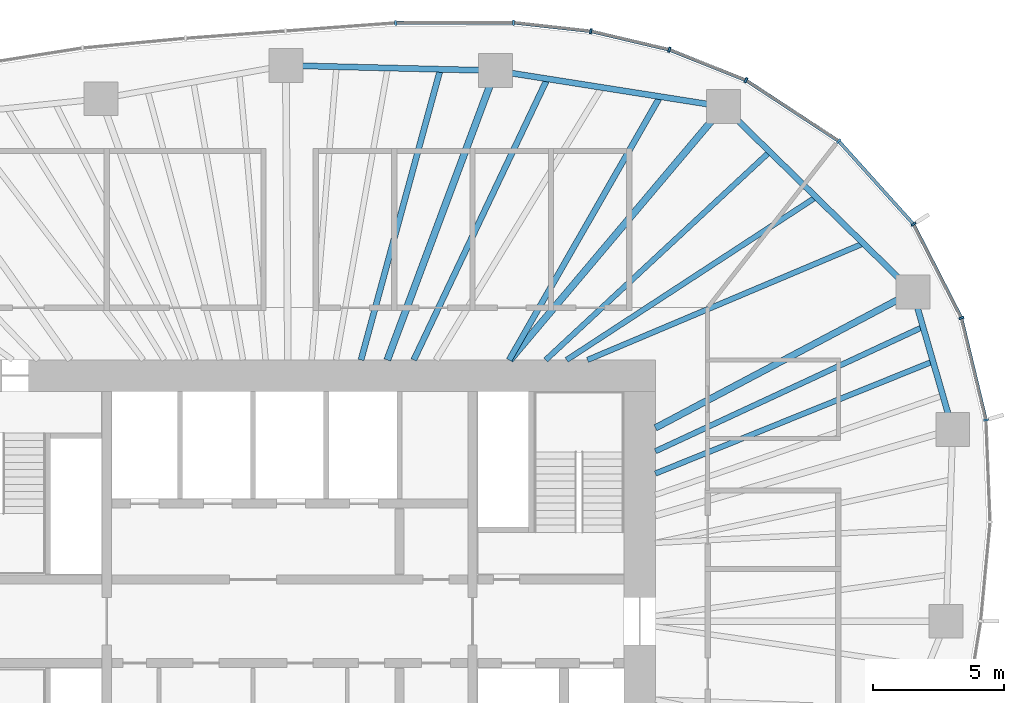
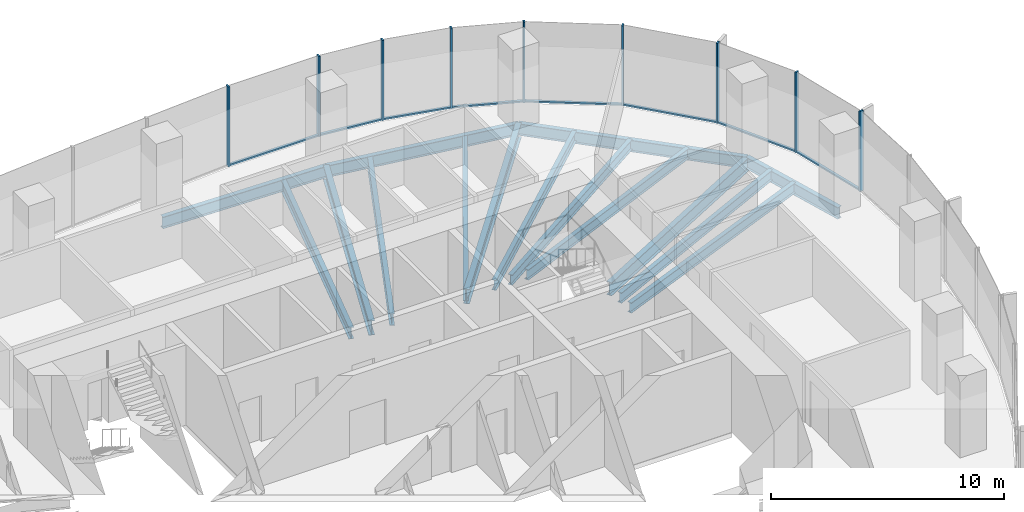
# One storey, part 6 of 11: 17 members, 15 beams, 4 elements without a shape of their own.
"""IFC4 building model written with IfcOpenShell, lengths in metres."""

from ifc_helpers import new_model, si_unit, direction, frame, origin, origin_2d, place, context, subcontext, project, spatial, rectangle, i_section, extrude, material, material_profile, profile_set, type_object, element, aggregate, save


model = new_model("IFC4")

# Units and contexts
model_context = context("Model", 3, precision=1e-05, world=origin(), true_north=direction((0.0, 1.0)))
body_context = subcontext(model_context, "Body", "Model", "MODEL_VIEW")
ifc_project = project(units=[si_unit("LENGTHUNIT", "METRE"), si_unit("AREAUNIT", "SQUARE_METRE"), si_unit("VOLUMEUNIT", "CUBIC_METRE"), si_unit("PLANEANGLEUNIT", "RADIAN"), si_unit("MASSUNIT", "GRAM", prefix="KILO")], contexts=[model_context])

# Site, building, storey
site_placement = place(None, origin())
site = spatial("IfcSite", under=ifc_project, at=site_placement, CompositionType="ELEMENT")
building_placement = place(site_placement, origin())
building = spatial("IfcBuilding", under=site, at=building_placement, Name="Ghaith Harvest Tower", CompositionType="ELEMENT")
storey_placement = place(building_placement, frame((0.0, 0.0, 220.0)))
storey = spatial("IfcBuildingStorey", under=building, at=storey_placement, Name="L48", CompositionType="ELEMENT", Elevation=220.0)

# Curtain wall, members
ifc_material_1 = material(Name="Black anodised aluminium and fritted glass", Category="aluminium")
curtain_wall_type = type_object("IfcCurtainWallType", Name="CW-H CURTAIN WALL", PredefinedType="NOTDEFINED", material=ifc_material_1)
curtain_wall_1_placement = place(storey_placement, origin())
curtain_wall_1 = element("IfcCurtainWall", 1, at=curtain_wall_1_placement, inside=storey, type_object=curtain_wall_type, Name="Curtain wall CW-H bay 02 L48", PredefinedType="NOTDEFINED")
ifc_material_2 = material(Name="Aluminium, black anodised", Category="aluminium")
ifc_material_profile_1 = material_profile(ifc_material_2, rectangle(XDim=0.080078125, YDim=0.199951171875, at=origin_2d()), Name="CW-H MULLION 80x200")
ifc_profile_set_1 = profile_set([ifc_material_profile_1], Name="Aluminium, black anodised")
member_type_1 = type_object("IfcMemberType", Name="CW-H MULLION 80x200", PredefinedType="MULLION", material=ifc_profile_set_1)
member_1_placement = place(storey_placement, frame((26.646484375, 7.701416015625, 0.0), z_axis=(0.0, 0.0, 1.0), x_axis=(-0.139146256981, 0.990271841046, 0.0)))
member_1 = element("IfcMember", 2, at=member_1_placement, type_object=member_type_1, Name="CW-H mullion 1 bay 02 L48", PredefinedType="MULLION", context=body_context, shape_type="SweptSolid", body=[
    extrude(rectangle(XDim=0.080078125, YDim=0.199951171875, at=origin_2d()), origin(), (0.0, 0.0, 1.0), 4.199951171875),
])
member_2_placement = place(storey_placement, frame((25.707275390625, 11.60546875, 0.0), z_axis=(0.0, 0.0, 1.0), x_axis=(-0.347012123561, 0.93786064322, 0.0)))
member_2 = element("IfcMember", 3, at=member_2_placement, type_object=member_type_1, Name="CW-H mullion 2 bay 02 L48", PredefinedType="MULLION", context=body_context, shape_type="SweptSolid", body=[
    extrude(rectangle(XDim=0.080078125, YDim=0.199951171875, at=origin_2d()), origin(), (0.0, 0.0, 1.0), 4.199951171875),
])

curtain_wall_2_placement = place(storey_placement, origin())
curtain_wall_2 = element("IfcCurtainWall", 4, at=curtain_wall_2_placement, inside=storey, type_object=curtain_wall_type, Name="Curtain wall CW-H bay 03 L48", PredefinedType="NOTDEFINED")
member_3_placement = place(storey_placement, frame((23.874267578125, 15.19384765625, 0.0), z_axis=(0.0, 0.0, 1.0), x_axis=(-0.569847382909, 0.821750546207, 0.0)))
member_3 = element("IfcMember", 5, at=member_3_placement, type_object=member_type_1, Name="CW-H mullion 1 bay 03 L48", PredefinedType="MULLION", context=body_context, shape_type="SweptSolid", body=[
    extrude(rectangle(XDim=0.080078125, YDim=0.199951171875, at=origin_2d()), origin(), (0.0, 0.0, 1.0), 4.199951171875),
])
member_4_placement = place(storey_placement, frame((21.013427734375, 18.374267578125, 0.0), z_axis=(0.0, 0.0, 1.0), x_axis=(-0.758541332755, 0.651624927778, 0.0)))
member_4 = element("IfcMember", 6, at=member_4_placement, type_object=member_type_1, Name="CW-H mullion 2 bay 03 L48", PredefinedType="MULLION", context=body_context, shape_type="SweptSolid", body=[
    extrude(rectangle(XDim=0.080078125, YDim=0.199951171875, at=origin_2d()), origin(), (0.0, 0.0, 1.0), 4.199951171875),
])

curtain_wall_3_placement = place(storey_placement, origin())
curtain_wall_3 = element("IfcCurtainWall", 7, at=curtain_wall_3_placement, inside=storey, type_object=curtain_wall_type, Name="Curtain wall CW-H bay 04 L48", PredefinedType="NOTDEFINED")
member_5_placement = place(storey_placement, frame((17.45947265625, 20.704345703125, 0.0), z_axis=(0.0, 0.0, 1.0), x_axis=(-0.880203412003, 0.474596621878, 0.0)))
member_5 = element("IfcMember", 8, at=member_5_placement, type_object=member_type_1, Name="CW-H mullion 1 bay 04 L48", PredefinedType="MULLION", context=body_context, shape_type="SweptSolid", body=[
    extrude(rectangle(XDim=0.080078125, YDim=0.199951171875, at=origin_2d()), origin(), (0.0, 0.0, 1.0), 4.199951171875),
])
member_6_placement = place(storey_placement, frame((14.52734375, 21.871337890625, 0.0), z_axis=(0.0, 0.0, 1.0), x_axis=(-0.953502908871, 0.30138381306, 0.0)))
member_6 = element("IfcMember", 9, at=member_6_placement, type_object=member_type_1, Name="CW-H mullion 2 bay 04 L48", PredefinedType="MULLION", context=body_context, shape_type="SweptSolid", body=[
    extrude(rectangle(XDim=0.080078125, YDim=0.199951171875, at=origin_2d()), origin(), (0.0, 0.0, 1.0), 4.199951171875),
])
member_7_placement = place(storey_placement, frame((11.527099609375, 22.579345703125, 0.0), z_axis=(0.0, 0.0, 1.0), x_axis=(-0.985193373388, 0.171446834417, 0.0)))
member_7 = element("IfcMember", 10, at=member_7_placement, type_object=member_type_1, Name="CW-H mullion 3 bay 04 L48", PredefinedType="MULLION", context=body_context, shape_type="SweptSolid", body=[
    extrude(rectangle(XDim=0.080078125, YDim=0.199951171875, at=origin_2d()), origin(), (0.0, 0.0, 1.0), 4.199951171875),
])

curtain_wall_4_placement = place(storey_placement, origin())
curtain_wall_4 = element("IfcCurtainWall", 11, at=curtain_wall_4_placement, inside=storey, type_object=curtain_wall_type, Name="Curtain wall CW-H bay 05 L48", PredefinedType="NOTDEFINED")
member_8_placement = place(storey_placement, frame((8.564208984375, 22.9091796875, 0.0), z_axis=(0.0, 0.0, 1.0), x_axis=(-0.999083519493, 0.042803283493, 0.0)))
member_8 = element("IfcMember", 12, at=member_8_placement, type_object=member_type_1, Name="CW-H mullion 1 bay 05 L48", PredefinedType="MULLION", context=body_context, shape_type="SweptSolid", body=[
    extrude(rectangle(XDim=0.080078125, YDim=0.199951171875, at=origin_2d()), origin(), (0.0, 0.0, 1.0), 4.199951171875),
])
member_9_placement = place(storey_placement, frame((4.0595703125, 22.8994140625, 0.0), z_axis=(0.0, 0.0, 1.0), x_axis=(-0.999332779724, -0.036523901335, 0.0)))
member_9 = element("IfcMember", 13, at=member_9_placement, type_object=member_type_1, Name="CW-H mullion 2 bay 05 L48", PredefinedType="MULLION", context=body_context, shape_type="SweptSolid", body=[
    extrude(rectangle(XDim=0.080078125, YDim=0.199951171875, at=origin_2d()), origin(), (0.0, 0.0, 1.0), 4.199951171875),
])

# Member
ifc_material_3 = material(Name="Aluminium, black anodised", Category="aluminium")
ifc_material_profile_2 = material_profile(ifc_material_3, rectangle(XDim=0.1298828125, YDim=0.080078125, at=origin_2d()), Name="CW-H TRANSOM 130x80")
ifc_profile_set_2 = profile_set([ifc_material_profile_2], Name="Aluminium, black anodised")
member_type_2 = type_object("IfcMemberType", Name="CW-H TRANSOM 130x80", PredefinedType="USERDEFINED", material=ifc_profile_set_2)
member_10_placement = place(storey_placement, frame((26.636962890625, 7.740234375, 0.0400390625), z_axis=(-0.233870324689, 0.972267798104, 0.0), x_axis=(-0.972267798104, -0.233870324689, 0.0)))
member_10 = element("IfcMember", 14, at=member_10_placement, type_object=member_type_2, Name="CW-H transom 1 bay 02 L48", ObjectType="TRANSOM", PredefinedType="USERDEFINED", context=body_context, shape_type="SweptSolid", body=[
    extrude(rectangle(XDim=0.1298828125, YDim=0.080078125, at=origin_2d()), origin(), (0.0, 0.0, 1.0), 3.935546875),
])

member_11_placement = place(storey_placement, frame((25.68896484375, 11.64111328125, 0.0400390625), z_axis=(-0.454911728312, 0.890536534592, 0.0), x_axis=(-0.890536534592, -0.454911728312, 0.0)))
member_11 = element("IfcMember", 15, at=member_11_placement, type_object=member_type_2, Name="CW-H transom 2 bay 02 L48", ObjectType="TRANSOM", PredefinedType="USERDEFINED", context=body_context, shape_type="SweptSolid", body=[
    extrude(rectangle(XDim=0.1298828125, YDim=0.080078125, at=origin_2d()), origin(), (0.0, 0.0, 1.0), 3.949462890625),
])

aggregate(curtain_wall_1, [member_1, member_10, member_2, member_11])

member_12_placement = place(storey_placement, frame((23.847412109375, 15.223388671875, 0.0400390625), z_axis=(-0.668752638518, 0.743484975286, 0.0), x_axis=(-0.743484975286, -0.668752638518, 0.0)))
member_12 = element("IfcMember", 16, at=member_12_placement, type_object=member_type_2, Name="CW-H transom 1 bay 03 L48", ObjectType="TRANSOM", PredefinedType="USERDEFINED", context=body_context, shape_type="SweptSolid", body=[
    extrude(rectangle(XDim=0.1298828125, YDim=0.080078125, at=origin_2d()), origin(), (0.0, 0.0, 1.0), 4.197998046875),
])

member_13_placement = place(storey_placement, frame((20.97998046875, 18.39599609375, 0.0400390625), z_axis=(-0.836268574396, 0.548320044753, 0.0), x_axis=(-0.548320044753, -0.836268574396, 0.0)))
member_13 = element("IfcMember", 17, at=member_13_placement, type_object=member_type_2, Name="CW-H transom 2 bay 03 L48", ObjectType="TRANSOM", PredefinedType="USERDEFINED", context=body_context, shape_type="SweptSolid", body=[
    extrude(rectangle(XDim=0.1298828125, YDim=0.080078125, at=origin_2d()), origin(), (0.0, 0.0, 1.0), 4.169677734375),
])

aggregate(curtain_wall_2, [member_3, member_12, member_4, member_13])

member_14_placement = place(storey_placement, frame((17.42236328125, 20.71923828125, 0.0400390625), z_axis=(-0.929115751434, 0.369789021521, 0.0), x_axis=(-0.369789021521, -0.929115751434, 0.0)))
member_14 = element("IfcMember", 18, at=member_14_placement, type_object=member_type_2, Name="CW-H transom 1 bay 04 L48", ObjectType="TRANSOM", PredefinedType="USERDEFINED", context=body_context, shape_type="SweptSolid", body=[
    extrude(rectangle(XDim=0.1298828125, YDim=0.080078125, at=origin_2d()), origin(), (0.0, 0.0, 1.0), 3.075927734375),
])

member_15_placement = place(storey_placement, frame((14.48828125, 21.880615234375, 0.0400390625), z_axis=(-0.97325803677, 0.229714592186, 0.0), x_axis=(-0.229714592186, -0.97325803677, 0.0)))
member_15 = element("IfcMember", 19, at=member_15_placement, type_object=member_type_2, Name="CW-H transom 2 bay 04 L48", ObjectType="TRANSOM", PredefinedType="USERDEFINED", context=body_context, shape_type="SweptSolid", body=[
    extrude(rectangle(XDim=0.1298828125, YDim=0.080078125, at=origin_2d()), origin(), (0.0, 0.0, 1.0), 3.00244140625),
])

member_16_placement = place(storey_placement, frame((11.4873046875, 22.583984375, 0.0400390625), z_axis=(-0.993867303252, 0.110579308762, 0.0), x_axis=(-0.110579308762, -0.993867303252, 0.0)))
member_16 = element("IfcMember", 20, at=member_16_placement, type_object=member_type_2, Name="CW-H transom 3 bay 04 L48", ObjectType="TRANSOM", PredefinedType="USERDEFINED", context=body_context, shape_type="SweptSolid", body=[
    extrude(rectangle(XDim=0.1298828125, YDim=0.080078125, at=origin_2d()), origin(), (0.0, 0.0, 1.0), 2.901123046875),
])

aggregate(curtain_wall_3, [member_5, member_14, member_6, member_15, member_7, member_16])

member_17_placement = place(storey_placement, frame((8.524169921875, 22.9091796875, 0.0400390625), z_axis=(-0.999997564275, -0.002207134722, 0.0), x_axis=(0.002207134722, -0.999997564275, 0.0)))
member_17 = element("IfcMember", 21, at=member_17_placement, type_object=member_type_2, Name="CW-H transom 1 bay 05 L48", ObjectType="TRANSOM", PredefinedType="USERDEFINED", context=body_context, shape_type="SweptSolid", body=[
    extrude(rectangle(XDim=0.1298828125, YDim=0.080078125, at=origin_2d()), origin(), (0.0, 0.0, 1.0), 4.424560546875),
])

aggregate(curtain_wall_4, [member_8, member_17, member_9])

# Beams
ifc_material_4 = material(Name="Steel ASTM A992 Grade 50", Category="steel")
ifc_material_profile_3 = material_profile(ifc_material_4, i_section(OverallWidth=0.22900390625, OverallDepth=0.612060546875, WebThickness=0.011962890625, FlangeThickness=0.01953125, at=origin_2d()), Name="W610X125")
ifc_profile_set_3 = profile_set([ifc_material_profile_3], Name="Steel ASTM A992 Grade 50")
beam_type_1 = type_object("IfcBeamType", Name="E610-125 W610X125", PredefinedType="SPANDREL", material=ifc_profile_set_3)
beam_1_placement = place(storey_placement, frame((25.3779296875, 7.3349609375, -0.47607421875), z_axis=(-0.278021352648, 0.960574894254, 0.0), x_axis=(-0.960574894254, -0.278021352648, 0.0)))
element("IfcBeam", 22, at=beam_1_placement, inside=storey, type_object=beam_type_1, Name="Edge beam E02 L48", PredefinedType="SPANDREL", context=body_context, shape_type="SweptSolid", body=[
    extrude(i_section(OverallWidth=0.22900390625, OverallDepth=0.612060546875, WebThickness=0.011962890625, FlangeThickness=0.01953125, at=origin_2d()), origin(), (0.0, 0.0, 1.0), 5.48828125),
])
beam_2_placement = place(storey_placement, frame((23.85205078125, 12.60693359375, -0.47607421875), z_axis=(-0.714761249388, 0.699368541166, 0.0), x_axis=(-0.699368541166, -0.714761249388, 0.0)))
element("IfcBeam", 23, at=beam_2_placement, inside=storey, type_object=beam_type_1, Name="Edge beam E03 L48", PredefinedType="SPANDREL", context=body_context, shape_type="SweptSolid", body=[
    extrude(i_section(OverallWidth=0.22900390625, OverallDepth=0.612060546875, WebThickness=0.011962890625, FlangeThickness=0.01953125, at=origin_2d()), origin(), (0.0, 0.0, 1.0), 10.135009765625),
])
beam_3_placement = place(storey_placement, frame((16.60791015625, 19.695068359375, -0.47607421875), z_axis=(-0.987788485872, 0.155800857439, 0.0), x_axis=(-0.155800857439, -0.987788485872, 0.0)))
element("IfcBeam", 24, at=beam_3_placement, inside=storey, type_object=beam_type_1, Name="Edge beam E04 L48", PredefinedType="SPANDREL", context=body_context, shape_type="SweptSolid", body=[
    extrude(i_section(OverallWidth=0.22900390625, OverallDepth=0.612060546875, WebThickness=0.011962890625, FlangeThickness=0.01953125, at=origin_2d()), origin(), (0.0, 0.0, 1.0), 8.837890625),
])
beam_4_placement = place(storey_placement, frame((7.8779296875, 21.072021484375, -0.47607421875), z_axis=(-0.999692679676, 0.024790042413, 0.0), x_axis=(-0.024790042413, -0.999692679676, 0.0)))
element("IfcBeam", 25, at=beam_4_placement, inside=storey, type_object=beam_type_1, Name="Edge beam E05 L48", PredefinedType="SPANDREL", context=body_context, shape_type="SweptSolid", body=[
    extrude(i_section(OverallWidth=0.22900390625, OverallDepth=0.612060546875, WebThickness=0.011962890625, FlangeThickness=0.01953125, at=origin_2d()), origin(), (0.0, 0.0, 1.0), 8.0263671875),
])
ifc_material_5 = material(Name="Steel ASTM A992 Grade 50", Category="steel")
ifc_material_profile_4 = material_profile(ifc_material_5, i_section(OverallWidth=0.256103515625, OverallDepth=0.693115234375, WebThickness=0.014404296875, FlangeThickness=0.023681640625, at=origin_2d()), Name="W690X170")
ifc_profile_set_4 = profile_set([ifc_material_profile_4], Name="Steel ASTM A992 Grade 50")
beam_type_2 = type_object("IfcBeamType", Name="G690-170 W690X170", PredefinedType="BEAM", material=ifc_profile_set_4)
beam_5_placement = place(storey_placement, frame((14.0, 7.39990234375, -0.5166015625), z_axis=(0.884112784119, 0.467273565438, 0.0), x_axis=(-0.467273565438, 0.884112784119, 0.0)))
element("IfcBeam", 26, at=beam_5_placement, inside=storey, type_object=beam_type_2, Name="Radial girder G03 L48", PredefinedType="BEAM", context=body_context, shape_type="SweptSolid", body=[
    extrude(i_section(OverallWidth=0.256103515625, OverallDepth=0.693115234375, WebThickness=0.014404296875, FlangeThickness=0.023681640625, at=origin_2d()), origin(), (0.0, 0.0, 1.0), 11.143310546875),
])
ifc_material_6 = material(Name="Steel ASTM A992 Grade 50", Category="steel")
ifc_material_profile_5 = material_profile(ifc_material_6, i_section(OverallWidth=0.26806640625, OverallDepth=0.77001953125, WebThickness=0.015625, FlangeThickness=0.025390625, at=origin_2d()), Name="W760X196")
ifc_profile_set_5 = profile_set([ifc_material_profile_5], Name="Steel ASTM A992 Grade 50")
beam_type_3 = type_object("IfcBeamType", Name="G760-196 W760X196", PredefinedType="BEAM", material=ifc_profile_set_5)
beam_6_placement = place(storey_placement, frame((8.4326171875, 10.0, -0.554931640625), z_axis=(0.644644245772, 0.764482698557, 0.0), x_axis=(-0.764482698557, 0.644644245772, 0.0)))
element("IfcBeam", 27, at=beam_6_placement, inside=storey, type_object=beam_type_3, Name="Radial girder G04 L48", PredefinedType="BEAM", context=body_context, shape_type="SweptSolid", body=[
    extrude(i_section(OverallWidth=0.26806640625, OverallDepth=0.77001953125, WebThickness=0.015625, FlangeThickness=0.025390625, at=origin_2d()), origin(), (0.0, 0.0, 1.0), 12.681884765625),
])
beam_7_placement = place(storey_placement, frame((3.73828125, 10.0, -0.554931640625), z_axis=(0.350206582147, 0.936672488024, 0.0), x_axis=(-0.936672488024, 0.350206582147, 0.0)))
element("IfcBeam", 28, at=beam_7_placement, inside=storey, type_object=beam_type_3, Name="Radial girder G05 L48", PredefinedType="BEAM", context=body_context, shape_type="SweptSolid", body=[
    extrude(i_section(OverallWidth=0.26806640625, OverallDepth=0.77001953125, WebThickness=0.015625, FlangeThickness=0.025390625, at=origin_2d()), origin(), (0.0, 0.0, 1.0), 11.820556640625),
])
ifc_material_7 = material(Name="Steel ASTM A992 Grade 50", Category="steel")
ifc_material_profile_6 = material_profile(ifc_material_7, i_section(OverallWidth=0.2109375, OverallDepth=0.5390625, WebThickness=0.01171875, FlangeThickness=0.018798828125, at=origin_2d()), Name="W530X109")
ifc_profile_set_6 = profile_set([ifc_material_profile_6], Name="Steel ASTM A992 Grade 50")
beam_type_4 = type_object("IfcBeamType", Name="J530-109 W530X109", PredefinedType="JOIST", material=ifc_profile_set_6)
beam_8_placement = place(storey_placement, frame((14.0, 5.653564453125, -0.439453125), z_axis=(0.927250374508, 0.37444190868, 0.0), x_axis=(-0.37444190868, 0.927250374508, 0.0)))
element("IfcBeam", 29, at=beam_8_placement, inside=storey, type_object=beam_type_4, Name="Joist J02.2 L48", PredefinedType="JOIST", context=body_context, shape_type="SweptSolid", body=[
    extrude(i_section(OverallWidth=0.2109375, OverallDepth=0.5390625, WebThickness=0.01171875, FlangeThickness=0.018798828125, at=origin_2d()), origin(), (0.0, 0.0, 1.0), 11.45654296875),
])
beam_9_placement = place(storey_placement, frame((14.0, 6.506103515625, -0.439453125), z_axis=(0.906864105655, 0.421423176718, 0.0), x_axis=(-0.421423176718, 0.906864105655, 0.0)))
element("IfcBeam", 30, at=beam_9_placement, inside=storey, type_object=beam_type_4, Name="Joist J02.3 L48", PredefinedType="JOIST", context=body_context, shape_type="SweptSolid", body=[
    extrude(i_section(OverallWidth=0.2109375, OverallDepth=0.5390625, WebThickness=0.01171875, FlangeThickness=0.018798828125, at=origin_2d()), origin(), (0.0, 0.0, 1.0), 11.292236328125),
])
beam_10_placement = place(storey_placement, frame((11.39990234375, 10.0, -0.439453125), z_axis=(0.92127415213, 0.388913790727, 0.0), x_axis=(-0.388913790727, 0.92127415213, 0.0)))
element("IfcBeam", 31, at=beam_10_placement, inside=storey, type_object=beam_type_4, Name="Joist J03.1 L48", PredefinedType="JOIST", context=body_context, shape_type="SweptSolid", body=[
    extrude(i_section(OverallWidth=0.2109375, OverallDepth=0.5390625, WebThickness=0.01171875, FlangeThickness=0.018798828125, at=origin_2d()), origin(), (0.0, 0.0, 1.0), 11.462646484375),
])
beam_11_placement = place(storey_placement, frame((10.60009765625, 10.0, -0.439453125), z_axis=(0.837329320942, 0.546698827775, 0.0), x_axis=(-0.546698827775, 0.837329320942, 0.0)))
element("IfcBeam", 32, at=beam_11_placement, inside=storey, type_object=beam_type_4, Name="Joist J03.2 L48", PredefinedType="JOIST", context=body_context, shape_type="SweptSolid", body=[
    extrude(i_section(OverallWidth=0.2109375, OverallDepth=0.5390625, WebThickness=0.01171875, FlangeThickness=0.018798828125, at=origin_2d()), origin(), (0.0, 0.0, 1.0), 11.40087890625),
])
beam_12_placement = place(storey_placement, frame((9.800048828125, 10.0, -0.439453125), z_axis=(0.732519288302, 0.680746275984, 0.0), x_axis=(-0.680746275984, 0.732519288302, 0.0)))
element("IfcBeam", 33, at=beam_12_placement, inside=storey, type_object=beam_type_4, Name="Joist J03.3 L48", PredefinedType="JOIST", context=body_context, shape_type="SweptSolid", body=[
    extrude(i_section(OverallWidth=0.2109375, OverallDepth=0.5390625, WebThickness=0.01171875, FlangeThickness=0.018798828125, at=origin_2d()), origin(), (0.0, 0.0, 1.0), 11.7041015625),
])
ifc_material_8 = material(Name="Steel ASTM A992 Grade 50", Category="steel")
ifc_material_profile_7 = material_profile(ifc_material_8, i_section(OverallWidth=0.22900390625, OverallDepth=0.612060546875, WebThickness=0.011962890625, FlangeThickness=0.01953125, at=origin_2d()), Name="W610X125")
ifc_profile_set_7 = profile_set([ifc_material_profile_7], Name="Steel ASTM A992 Grade 50")
beam_type_5 = type_object("IfcBeamType", Name="J610-125 W610X125", PredefinedType="JOIST", material=ifc_profile_set_7)
beam_13_placement = place(storey_placement, frame((8.39990234375, 10.0, -0.47607421875), z_axis=(0.497444212127, 0.867495968764, 0.0), x_axis=(-0.867495968764, 0.497444212127, 0.0)))
element("IfcBeam", 34, at=beam_13_placement, inside=storey, type_object=beam_type_5, Name="Joist J04.1 L48", PredefinedType="JOIST", context=body_context, shape_type="SweptSolid", body=[
    extrude(i_section(OverallWidth=0.22900390625, OverallDepth=0.612060546875, WebThickness=0.011962890625, FlangeThickness=0.01953125, at=origin_2d()), origin(), (0.0, 0.0, 1.0), 11.617431640625),
])
beam_14_placement = place(storey_placement, frame((4.75, 10.0, -0.47607421875), z_axis=(0.429069356877, 0.903271546651, 0.0), x_axis=(-0.903271546651, 0.429069356877, 0.0)))
element("IfcBeam", 35, at=beam_14_placement, inside=storey, type_object=beam_type_5, Name="Joist J04.3 L48", PredefinedType="JOIST", context=body_context, shape_type="SweptSolid", body=[
    extrude(i_section(OverallWidth=0.22900390625, OverallDepth=0.612060546875, WebThickness=0.011962890625, FlangeThickness=0.01953125, at=origin_2d()), origin(), (0.0, 0.0, 1.0), 11.911376953125),
])
beam_15_placement = place(storey_placement, frame((2.73095703125, 10.0, -0.47607421875), z_axis=(0.263455967932, 0.964671422279, 0.0), x_axis=(-0.964671422279, 0.263455967932, 0.0)))
element("IfcBeam", 36, at=beam_15_placement, inside=storey, type_object=beam_type_5, Name="Joist J05.1 L48", PredefinedType="JOIST", context=body_context, shape_type="SweptSolid", body=[
    extrude(i_section(OverallWidth=0.22900390625, OverallDepth=0.612060546875, WebThickness=0.011962890625, FlangeThickness=0.01953125, at=origin_2d()), origin(), (0.0, 0.0, 1.0), 11.53173828125),
])

save(model, "model.ifc")
